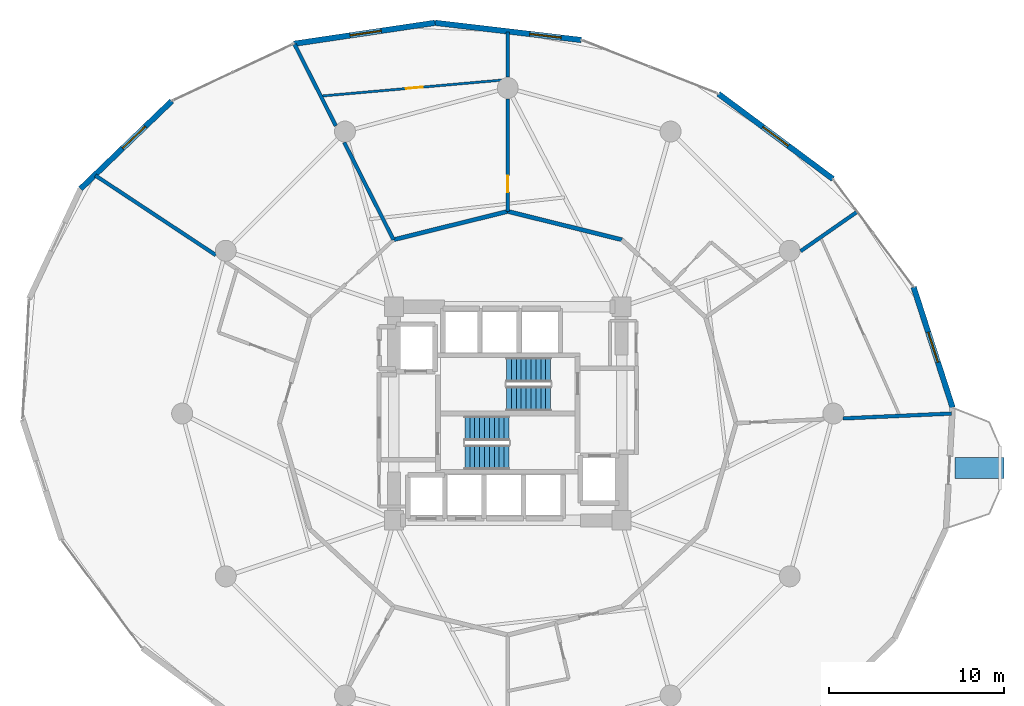
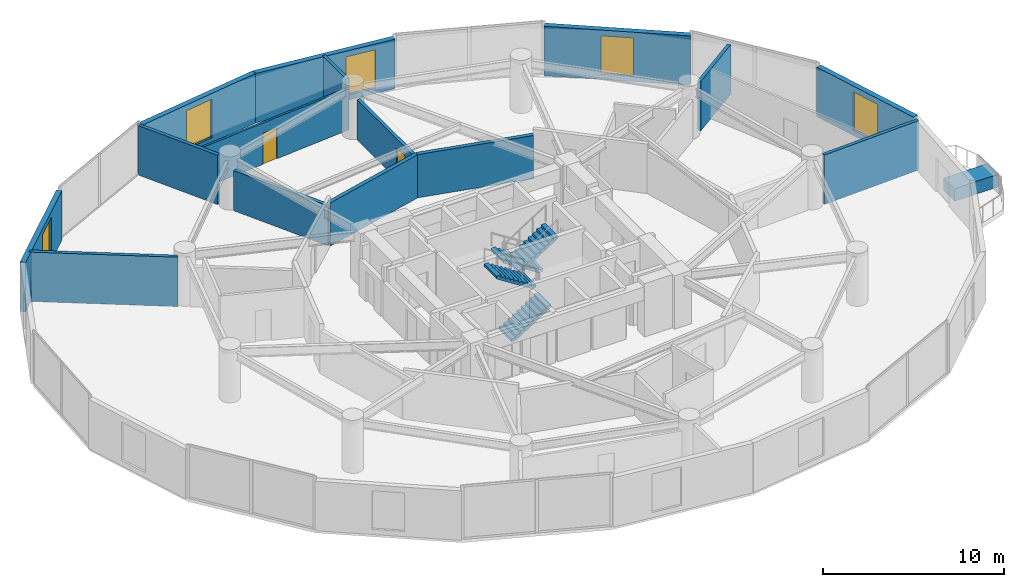
# One storey, part 22 of 25: 15 walls, 5 windows, 4 stair flights, 2 doors, 1 discrete accessory, 7 openings, 2 elements without a shape of their own.
"""IFC4 building model written with IfcOpenShell, lengths in metres."""

from ifc_helpers import new_model, si_unit, direction, frame, frame_2d, origin, origin_2d, place, context, subcontext, project, spatial, polyline, rectangle, outline, extrude, material, layer, layer_set, type_object, element, fill, aggregate, save


model = new_model("IFC4")

# Units and contexts
model_context = context("Model", 3, precision=1e-05, world=origin(), true_north=direction((0.0, 1.0)))
body_context = subcontext(model_context, "Body", "Model", "MODEL_VIEW")
ifc_project = project(units=[si_unit("LENGTHUNIT", "METRE"), si_unit("AREAUNIT", "SQUARE_METRE"), si_unit("VOLUMEUNIT", "CUBIC_METRE"), si_unit("PLANEANGLEUNIT", "RADIAN"), si_unit("MASSUNIT", "GRAM", prefix="KILO")], contexts=[model_context])

# Site, building, storey
site_placement = place(None, origin())
site = spatial("IfcSite", under=ifc_project, at=site_placement, CompositionType="ELEMENT")
building_placement = place(site_placement, origin())
building = spatial("IfcBuilding", under=site, at=building_placement, Name="Solvirekh Grand Hotel", CompositionType="ELEMENT")
storey_placement = place(building_placement, frame((0.0, 0.0, 57.199951171875)))
storey = spatial("IfcBuildingStorey", under=building, at=storey_placement, Name="L13", CompositionType="ELEMENT", Elevation=57.199951171875)

# Wall, opening, window
ifc_material_1 = material(Name="Precast concrete C45/55", Category="concrete")
ifc_layer_1 = layer(ifc_material_1, 0.320068359375)
ifc_layer_set_1 = layer_set([ifc_layer_1], Name="Precast concrete C45/55")
wall_type_1 = type_object("IfcWallType", Name="ExtLobbyWall_RC320", PredefinedType="SOLIDWALL", material=ifc_layer_set_1)
wall_1_placement = place(storey_placement, frame((23.18310546875, 7.22900390625, 0.0), z_axis=(0.0, 0.0, 1.0), x_axis=(0.307973942957, -0.951394792113, 0.0)))
wall_1 = element("IfcWall", 1, at=wall_1_placement, inside=storey, type_object=wall_type_1, Name="L13 exterior structural wall chord 2", PredefinedType="SOLIDWALL", context=body_context, shape_type="SweptSolid", body=[
    extrude(rectangle(XDim=7.233642578125, YDim=0.320068359375, at=frame_2d((3.61669921875, 0.0))), origin(), (0.0, 0.0, 1.0), 3.340087890625),
])
opening_1_placement = place(wall_1_placement, frame((2.717041015625, 0.0, 0.35009765625)))
opening_1 = element("IfcOpeningElement", 2, at=opening_1_placement, cuts=wall_1, Name="Opening W02", PredefinedType="OPENING", context=body_context, shape_type="SweptSolid", body=[
    extrude(rectangle(XDim=1.800048828125, YDim=2.60009765625, at=frame_2d((0.89990234375, 1.300048828125))), frame((0.0, 0.169921875, 0.0), z_axis=(0.0, -1.0, 0.0), x_axis=(1.0, 0.0, 0.0)), (0.0, 0.0, 1.0), 0.340087890625),
])
ifc_material_2 = material(Name="Low-E Tinted Bronze Laminated Glass", Category="aluminium")
window_type = type_object("IfcWindowType", Name="Win_LobbyExt_1800X2600", PartitioningType="SINGLE_PANEL", PredefinedType="WINDOW", material=ifc_material_2)
window_1_placement = place(opening_1_placement, origin())
window_1 = element("IfcWindow", 3, at=window_1_placement, inside=storey, type_object=window_type, Name="L13 panoramic bronze-framed window 2", OverallHeight=2.60009765625, OverallWidth=1.800048828125, PartitioningType="SINGLE_PANEL", PredefinedType="WINDOW", context=body_context, shape_type="SweptSolid", body=[
    extrude(rectangle(XDim=1.800048828125, YDim=2.60009765625, at=frame_2d((0.89990234375, 1.300048828125))), frame((0.0, 0.030029296875, 0.0), z_axis=(0.0, -1.0, 0.0), x_axis=(1.0, 0.0, 0.0)), (0.0, 0.0, 1.0), 0.06005859375),
])
fill(opening_1, window_1)

wall_2_placement = place(storey_placement, frame((12.032958984375, 18.264892578125, 0.0), z_axis=(0.0, 0.0, 1.0), x_axis=(0.802538106816, -0.596600860801, 0.0)))
wall_2 = element("IfcWall", 4, at=wall_2_placement, inside=storey, type_object=wall_type_1, Name="L13 exterior structural wall chord 4", PredefinedType="SOLIDWALL", context=body_context, shape_type="SweptSolid", body=[
    extrude(rectangle(XDim=8.149169921875, YDim=0.320068359375, at=frame_2d((4.07470703125, 0.0))), origin(), (0.0, 0.0, 1.0), 3.340087890625),
])
opening_2_placement = place(wall_2_placement, frame((3.175048828125, 0.0, 0.35009765625)))
opening_2 = element("IfcOpeningElement", 5, at=opening_2_placement, cuts=wall_2, Name="Opening W02", PredefinedType="OPENING", context=body_context, shape_type="SweptSolid", body=[
    extrude(rectangle(XDim=1.800048828125, YDim=2.60009765625, at=frame_2d((0.89990234375, 1.300048828125))), frame((0.0, 0.169921875, 0.0), z_axis=(0.0, -1.0, 0.0), x_axis=(1.0, 0.0, 0.0)), (0.0, 0.0, 1.0), 0.340087890625),
])
window_2_placement = place(opening_2_placement, origin())
window_2 = element("IfcWindow", 6, at=window_2_placement, inside=storey, type_object=window_type, Name="L13 panoramic bronze-framed window 4", OverallHeight=2.60009765625, OverallWidth=1.800048828125, PartitioningType="SINGLE_PANEL", PredefinedType="WINDOW", context=body_context, shape_type="SweptSolid", body=[
    extrude(rectangle(XDim=1.800048828125, YDim=2.60009765625, at=frame_2d((0.89990234375, 1.300048828125))), frame((0.0, 0.030029296875, 0.0), z_axis=(0.0, -1.0, 0.0), x_axis=(1.0, 0.0, 0.0)), (0.0, 0.0, 1.0), 0.06005859375),
])
fill(opening_2, window_2)

wall_3_placement = place(storey_placement, frame((-4.153076171875, 22.323974609375, 0.0), z_axis=(0.0, 0.0, 1.0), x_axis=(0.993124034761, -0.117066867986, 0.0)))
wall_3 = element("IfcWall", 7, at=wall_3_placement, inside=storey, type_object=wall_type_1, Name="L13 exterior structural wall chord 6", PredefinedType="SOLIDWALL", context=body_context, shape_type="SweptSolid", body=[
    extrude(rectangle(XDim=8.412841796875, YDim=0.320068359375, at=frame_2d((4.20654296875, 0.0))), origin(), (0.0, 0.0, 1.0), 3.340087890625),
])
opening_3_placement = place(wall_3_placement, frame((5.449951171875, 0.0, 0.35009765625)))
opening_3 = element("IfcOpeningElement", 8, at=opening_3_placement, cuts=wall_3, Name="Opening W02", PredefinedType="OPENING", context=body_context, shape_type="SweptSolid", body=[
    extrude(rectangle(XDim=1.800048828125, YDim=2.60009765625, at=frame_2d((0.89990234375, 1.300048828125))), frame((0.0, 0.169921875, 0.0), z_axis=(0.0, -1.0, 0.0), x_axis=(1.0, 0.0, 0.0)), (0.0, 0.0, 1.0), 0.340087890625),
])
window_3_placement = place(opening_3_placement, origin())
window_3 = element("IfcWindow", 9, at=window_3_placement, inside=storey, type_object=window_type, Name="L13 panoramic bronze-framed window 6", OverallHeight=2.60009765625, OverallWidth=1.800048828125, PartitioningType="SINGLE_PANEL", PredefinedType="WINDOW", context=body_context, shape_type="SweptSolid", body=[
    extrude(rectangle(XDim=1.800048828125, YDim=2.60009765625, at=frame_2d((0.89990234375, 1.300048828125))), frame((0.0, 0.030029296875, 0.0), z_axis=(0.0, -1.0, 0.0), x_axis=(1.0, 0.0, 0.0)), (0.0, 0.0, 1.0), 0.06005859375),
])
fill(opening_3, window_3)

wall_4_placement = place(storey_placement, frame((-12.212890625, 21.125, 0.0), z_axis=(0.0, 0.0, 1.0), x_axis=(0.989115613059, 0.147140422734, 0.0)))
wall_4 = element("IfcWall", 10, at=wall_4_placement, inside=storey, type_object=wall_type_1, Name="L13 exterior structural wall chord 7", PredefinedType="SOLIDWALL", context=body_context, shape_type="SweptSolid", body=[
    extrude(rectangle(XDim=8.1484375, YDim=0.320068359375, at=frame_2d((4.07421875, 0.0))), origin(), (0.0, 0.0, 1.0), 3.340087890625),
])
opening_4_placement = place(wall_4_placement, frame((3.239013671875, 0.0, 0.35009765625)))
opening_4 = element("IfcOpeningElement", 11, at=opening_4_placement, cuts=wall_4, Name="Opening W02", PredefinedType="OPENING", context=body_context, shape_type="SweptSolid", body=[
    extrude(rectangle(XDim=1.800048828125, YDim=2.60009765625, at=frame_2d((0.89990234375, 1.300048828125))), frame((0.0, 0.169921875, 0.0), z_axis=(0.0, -1.0, 0.0), x_axis=(1.0, 0.0, 0.0)), (0.0, 0.0, 1.0), 0.340087890625),
])
window_4_placement = place(opening_4_placement, origin())
window_4 = element("IfcWindow", 12, at=window_4_placement, inside=storey, type_object=window_type, Name="L13 panoramic bronze-framed window 7", OverallHeight=2.60009765625, OverallWidth=1.800048828125, PartitioningType="SINGLE_PANEL", PredefinedType="WINDOW", context=body_context, shape_type="SweptSolid", body=[
    extrude(rectangle(XDim=1.800048828125, YDim=2.60009765625, at=frame_2d((0.89990234375, 1.300048828125))), frame((0.0, 0.030029296875, 0.0), z_axis=(0.0, -1.0, 0.0), x_axis=(1.0, 0.0, 0.0)), (0.0, 0.0, 1.0), 0.06005859375),
])
fill(opening_4, window_4)

wall_5_placement = place(storey_placement, frame((-24.403076171875, 12.841064453125, 0.0), z_axis=(0.0, 0.0, 1.0), x_axis=(0.720544396029, 0.693408806802, 0.0)))
wall_5 = element("IfcWall", 13, at=wall_5_placement, inside=storey, type_object=wall_type_1, Name="L13 exterior structural wall chord 9", PredefinedType="SOLIDWALL", context=body_context, shape_type="SweptSolid", body=[
    extrude(rectangle(XDim=7.233642578125, YDim=0.320068359375, at=frame_2d((3.61669921875, 0.0))), origin(), (0.0, 0.0, 1.0), 3.340087890625),
])
opening_5_placement = place(wall_5_placement, frame((3.3349609375, 0.0, 0.35009765625)))
opening_5 = element("IfcOpeningElement", 14, at=opening_5_placement, cuts=wall_5, Name="Opening W02", PredefinedType="OPENING", context=body_context, shape_type="SweptSolid", body=[
    extrude(rectangle(XDim=1.800048828125, YDim=2.60009765625, at=frame_2d((0.89990234375, 1.300048828125))), frame((0.0, 0.169921875, 0.0), z_axis=(0.0, -1.0, 0.0), x_axis=(1.0, 0.0, 0.0)), (0.0, 0.0, 1.0), 0.340087890625),
])
window_5_placement = place(opening_5_placement, origin())
window_5 = element("IfcWindow", 15, at=window_5_placement, inside=storey, type_object=window_type, Name="L13 panoramic bronze-framed window 9", OverallHeight=2.60009765625, OverallWidth=1.800048828125, PartitioningType="SINGLE_PANEL", PredefinedType="WINDOW", context=body_context, shape_type="SweptSolid", body=[
    extrude(rectangle(XDim=1.800048828125, YDim=2.60009765625, at=frame_2d((0.89990234375, 1.300048828125))), frame((0.0, 0.030029296875, 0.0), z_axis=(0.0, -1.0, 0.0), x_axis=(1.0, 0.0, 0.0)), (0.0, 0.0, 1.0), 0.06005859375),
])
fill(opening_5, window_5)

# Walls
ifc_material_3 = material(Name="Acoustic Gypsum Partition Assembly")
ifc_layer_2 = layer(ifc_material_3, 0.239990234375)
ifc_layer_set_2 = layer_set([ifc_layer_2], Name="Acoustic Gypsum Partition Assembly")
wall_type_2 = type_object("IfcWallType", Name="Part_Corridor_240", PredefinedType="PARTITIONING", material=ifc_layer_set_2)
for number, where, z_axis, x_axis, name in (
    (16, (6.52490234375, 9.928955078125, 0.0), (0.0, 0.0, 1.0), (-0.970496047219, 0.241117030365, 0.0), "L13 Diplomatic Suite 1503 Living Room corridor wall 1"),
    (17, (0.0, 11.550048828125, 0.0), (0.0, 0.0, 1.0), (-0.970496047219, -0.241117030365, 0.0), "L13 Diplomatic Suite 1503 Suite Foyer corridor enclosure wall"),
):
    element("IfcWall", number, at=place(storey_placement, frame(where, z_axis=z_axis, x_axis=x_axis)), inside=storey, type_object=wall_type_2, Name=name, PredefinedType="PARTITIONING", context=body_context, shape_type="SweptSolid", body=[
        extrude(rectangle(XDim=6.72314453125, YDim=0.239990234375, at=frame_2d((3.361572265625, 0.0))), origin(), (0.0, 0.0, 1.0), 2.9189453125),
    ])

# Wall, opening, door
ifc_layer_3 = layer(ifc_material_3, 0.135009765625)
ifc_layer_set_3 = layer_set([ifc_layer_3], Name="Acoustic Gypsum Partition Assembly")
wall_type_3 = type_object("IfcWallType", Name="Part_RoomInt_135", PredefinedType="PARTITIONING", material=ifc_layer_set_3)
wall_6_placement = place(storey_placement, frame((0.0, 19.0791015625, 0.0), z_axis=(0.0, 0.0, 1.0), x_axis=(-0.996115587984, -0.088055297262, 0.0)))
wall_6 = element("IfcWall", 18, at=wall_6_placement, inside=storey, type_object=wall_type_3, Name="L13 Diplomatic Suite 1503 Suite Foyer bedroom screen wall", PredefinedType="PARTITIONING", context=body_context, shape_type="SweptSolid", body=[
    extrude(rectangle(XDim=10.7216796875, YDim=0.135009765625, at=frame_2d((5.36083984375, 0.0))), origin(), (0.0, 0.0, 1.0), 2.7919921875),
])
opening_6_placement = place(wall_6_placement, frame((4.885986328125, 0.0, 0.0)))
opening_6 = element("IfcOpeningElement", 19, at=opening_6_placement, cuts=wall_6, Name="Opening D10", PredefinedType="OPENING", context=body_context, shape_type="SweptSolid", body=[
    extrude(rectangle(XDim=0.949951171875, YDim=2.10009765625, at=frame_2d((0.47509765625, 1.050048828125))), frame((0.0, 0.07763671875, 0.0), z_axis=(0.0, -1.0, 0.0), x_axis=(1.0, 0.0, 0.0)), (0.0, 0.0, 1.0), 0.155029296875),
])
ifc_material_4 = material(Name="Anodized Bronze Aluminium 6063-T6", Category="aluminium")
door_type = type_object("IfcDoorType", Name="Door_RoomInt_950X2100", OperationType="NOTDEFINED", PredefinedType="DOOR", material=ifc_material_4)
door_1_placement = place(opening_6_placement, origin())
door_1 = element("IfcDoor", 20, at=door_1_placement, inside=storey, type_object=door_type, Name="L13 Diplomatic Suite 1503 Suite Foyer master bedroom door", OperationType="SINGLE_SWING_RIGHT", OverallHeight=2.10009765625, OverallWidth=0.949951171875, PredefinedType="DOOR", context=body_context, shape_type="SweptSolid", body=[
    extrude(rectangle(XDim=0.949951171875, YDim=2.10009765625, at=frame_2d((0.47509765625, 1.050048828125))), frame((0.0, 0.02490234375, 0.0), z_axis=(0.0, -1.0, 0.0), x_axis=(1.0, 0.0, 0.0)), (0.0, 0.0, 1.0), 0.050048828125),
])
fill(opening_6, door_1)

# Walls
ifc_layer_4 = layer(ifc_material_3, 0.2099609375)
ifc_layer_set_4 = layer_set([ifc_layer_4], Name="Acoustic Gypsum Partition Assembly")
wall_type_4 = type_object("IfcWallType", Name="Part_SuiteDemise_210", PredefinedType="PARTITIONING", material=ifc_layer_set_4)
wall_7_placement = place(storey_placement, frame((19.155029296875, -0.277099609375, 0.0), z_axis=(0.0, 0.0, 1.0), x_axis=(0.999001782525, 0.044670331449, 0.0)))
element("IfcWall", 21, at=wall_7_placement, inside=storey, type_object=wall_type_4, Name="L13 suite radial wall 1 (B)", PredefinedType="PARTITIONING", context=body_context, shape_type="SweptSolid", body=[
    extrude(rectangle(XDim=6.203125, YDim=0.2099609375, at=frame_2d((3.1015625, 0.0))), origin(), (0.0, 0.0, 1.0), 3.340087890625),
])
wall_8_placement = place(storey_placement, frame((16.72802734375, 9.27587890625, 0.0), z_axis=(0.0, 0.0, 1.0), x_axis=(0.820690069196, 0.571373617104, 0.0)))
element("IfcWall", 22, at=wall_8_placement, inside=storey, type_object=wall_type_4, Name="L13 suite radial wall 2 (B)", PredefinedType="PARTITIONING", context=body_context, shape_type="SweptSolid", body=[
    extrude(rectangle(XDim=3.91015625, YDim=0.2099609375, at=frame_2d((1.955078125, 0.0))), origin(), (0.0, 0.0, 1.0), 3.340087890625),
])

# Wall, opening, door
wall_9_placement = place(storey_placement, frame((0.0, 11.550048828125, 0.0), z_axis=(0.0, 0.0, 1.0), x_axis=(0.0, 1.0, 0.0)))
wall_9 = element("IfcWall", 23, at=wall_9_placement, inside=storey, type_object=wall_type_4, Name="L13 suite radial wall 4 (A)", PredefinedType="PARTITIONING", context=body_context, shape_type="SweptSolid", body=[
    extrude(rectangle(XDim=6.429931640625, YDim=0.2099609375, at=frame_2d((3.21484375, 0.0))), origin(), (0.0, 0.0, 1.0), 2.70703125),
])
opening_7_placement = place(wall_9_placement, frame((1.095947265625, 0.0, 0.0)))
opening_7 = element("IfcOpeningElement", 24, at=opening_7_placement, cuts=wall_9, Name="Opening D10", PredefinedType="OPENING", context=body_context, shape_type="SweptSolid", body=[
    extrude(rectangle(XDim=0.949951171875, YDim=2.10009765625, at=frame_2d((0.47509765625, 1.050048828125))), frame((0.0, 0.114990234375, 0.0), z_axis=(0.0, -1.0, 0.0), x_axis=(1.0, 0.0, 0.0)), (0.0, 0.0, 1.0), 0.22998046875),
])
door_2_placement = place(opening_7_placement, origin())
door_2 = element("IfcDoor", 25, at=door_2_placement, inside=storey, type_object=door_type, Name="L13 Diplomatic Suite 1503 Suite Foyer suite connecting door", OperationType="SINGLE_SWING_LEFT", OverallHeight=2.10009765625, OverallWidth=0.949951171875, PredefinedType="DOOR", context=body_context, shape_type="SweptSolid", body=[
    extrude(rectangle(XDim=0.949951171875, YDim=2.10009765625, at=frame_2d((0.47509765625, 1.050048828125))), frame((0.0, 0.02490234375, 0.0), z_axis=(0.0, -1.0, 0.0), x_axis=(1.0, 0.0, 0.0)), (0.0, 0.0, 1.0), 0.050048828125),
])
fill(opening_7, door_2)

# Walls
wall_10_placement = place(storey_placement, frame((0.0, 19.219970703125, 0.0), z_axis=(0.0, 0.0, 1.0), x_axis=(0.0, 1.0, 0.0)))
element("IfcWall", 26, at=wall_10_placement, inside=storey, type_object=wall_type_4, Name="L13 suite radial wall 4 (B)", PredefinedType="PARTITIONING", context=body_context, shape_type="SweptSolid", body=[
    extrude(rectangle(XDim=2.573974609375, YDim=0.2099609375, at=frame_2d((1.287109375, 0.0))), origin(), (0.0, 0.0, 1.0), 3.340087890625),
])
wall_11_placement = place(storey_placement, frame((-6.52490234375, 9.928955078125, 0.0), z_axis=(0.0, 0.0, 1.0), x_axis=(-0.451845511916, 0.892096201853, 0.0)))
element("IfcWall", 27, at=wall_11_placement, inside=storey, type_object=wall_type_4, Name="L13 suite radial wall 5 (A)", PredefinedType="PARTITIONING", context=body_context, shape_type="SweptSolid", body=[
    extrude(rectangle(XDim=6.232666015625, YDim=0.2099609375, at=frame_2d((3.1162109375, 0.0))), origin(), (0.0, 0.0, 1.0), 2.70703125),
])
wall_12_placement = place(storey_placement, frame((-9.822998046875, 16.44091796875, 0.0), z_axis=(0.0, 0.0, 1.0), x_axis=(-0.451646831952, 0.892196805188, 0.0)))
element("IfcWall", 28, at=wall_12_placement, inside=storey, type_object=wall_type_4, Name="L13 suite radial wall 5 (B)", PredefinedType="PARTITIONING", context=body_context, shape_type="SweptSolid", body=[
    extrude(rectangle(XDim=5.214111328125, YDim=0.2099609375, at=frame_2d((2.60693359375, 0.0))), origin(), (0.0, 0.0, 1.0), 3.340087890625),
])
wall_13_placement = place(storey_placement, frame((-16.676025390625, 9.052001953125, 0.0), z_axis=(0.0, 0.0, 1.0), x_axis=(-0.834224712382, 0.551424636057, 0.0)))
element("IfcWall", 29, at=wall_13_placement, inside=storey, type_object=wall_type_4, Name="L13 suite radial wall 6 (B)", PredefinedType="PARTITIONING", context=body_context, shape_type="SweptSolid", body=[
    extrude(rectangle(XDim=8.249755859375, YDim=0.2099609375, at=frame_2d((4.125, 0.0))), origin(), (0.0, 0.0, 1.0), 3.340087890625),
])

# Stair, stair flights
ifc_material_5 = material(Name="Concrete C40/50", Category="concrete")
stair_type = type_object("IfcStairType", Name="Stair_Core_1450", PredefinedType="HALF_TURN_STAIR", material=ifc_material_5)
stair_1_placement = place(storey_placement, origin())
stair_1 = element("IfcStair", 30, at=stair_1_placement, inside=storey, type_object=stair_type, Name="L13 Enclosed exit stair ST-1", PredefinedType="HALF_TURN_STAIR")
stair_flight_type = type_object("IfcStairFlightType", Name="Flight_Core_1450", PredefinedType="STRAIGHT", material=ifc_material_5)
stair_flight_1_placement = place(storey_placement, frame((-2.449951171875, -2.5, 0.0), z_axis=(0.0, 0.0, 1.0), x_axis=(1.0, 0.0, 0.0)))
stair_flight_1 = element("IfcStairFlight", 31, at=stair_flight_1_placement, type_object=stair_flight_type, Name="ST-1 flight 1", NumberOfRisers=10, NumberOfTreads=9, PredefinedType="STRAIGHT", RiserHeight=0.18, TreadLength=0.28, context=body_context, shape_type="SweptSolid", body=[
    extrude(outline(polyline([(0.0, 0.0), (0.0, 0.179931640625), (0.280029296875, 0.179931640625), (0.280029296875, 0.360107421875), (0.56005859375, 0.360107421875), (0.56005859375, 0.5400390625), (0.840087890625, 0.5400390625), (0.840087890625, 0.719970703125), (1.1201171875, 0.719970703125), (1.1201171875, 0.89990234375), (1.39990234375, 0.89990234375), (1.39990234375, 1.080078125), (1.679931640625, 1.080078125), (1.679931640625, 1.260009765625), (1.9599609375, 1.260009765625), (1.9599609375, 1.43994140625), (2.239990234375, 1.43994140625), (2.239990234375, 1.6201171875), (2.52001953125, 1.6201171875), (2.52001953125, 1.800048828125), (2.52001953125, 1.44189453125), (0.277099609375, 0.0), (0.0, 0.0)])), frame((0.0, 0.699951171875, 0.0), z_axis=(0.0, -1.0, 0.0), x_axis=(1.0, 0.0, 0.0)), (0.0, 0.0, 1.0), 1.39990234375),
])
stair_flight_2_placement = place(storey_placement, frame((0.070068359375, -0.85009765625, 1.800048828125), z_axis=(0.0, 0.0, 1.0), x_axis=(-1.0, 0.0, 0.0)))
stair_flight_2 = element("IfcStairFlight", 32, at=stair_flight_2_placement, type_object=stair_flight_type, Name="ST-1 flight 2", NumberOfRisers=10, NumberOfTreads=9, PredefinedType="STRAIGHT", RiserHeight=0.18, TreadLength=0.28, context=body_context, shape_type="SweptSolid", body=[
    extrude(outline(polyline([(0.0, 0.0), (0.0, 0.179931640625), (0.280029296875, 0.179931640625), (0.280029296875, 0.360107421875), (0.56005859375, 0.360107421875), (0.56005859375, 0.5400390625), (0.840087890625, 0.5400390625), (0.840087890625, 0.719970703125), (1.1201171875, 0.719970703125), (1.1201171875, 0.89990234375), (1.39990234375, 0.89990234375), (1.39990234375, 1.080078125), (1.679931640625, 1.080078125), (1.679931640625, 1.260009765625), (1.9599609375, 1.260009765625), (1.9599609375, 1.43994140625), (2.239990234375, 1.43994140625), (2.239990234375, 1.6201171875), (2.52001953125, 1.6201171875), (2.52001953125, 1.800048828125), (2.52001953125, 1.44189453125), (0.277099609375, 0.0), (0.0, 0.0)])), frame((0.0, 0.699951171875, 0.0), z_axis=(0.0, -1.0, 0.0), x_axis=(1.0, 0.0, 0.0)), (0.0, 0.0, 1.0), 1.39990234375),
])
aggregate(stair_1, [stair_flight_1, stair_flight_2])

stair_2_placement = place(storey_placement, origin())
stair_2 = element("IfcStair", 33, at=stair_2_placement, inside=storey, type_object=stair_type, Name="L13 Enclosed exit stair ST-2", PredefinedType="HALF_TURN_STAIR")
stair_flight_3_placement = place(storey_placement, frame((2.449951171875, 2.5, 0.0), z_axis=(0.0, 0.0, 1.0), x_axis=(-1.0, 0.0, 0.0)))
stair_flight_3 = element("IfcStairFlight", 34, at=stair_flight_3_placement, type_object=stair_flight_type, Name="ST-2 flight 1", NumberOfRisers=10, NumberOfTreads=9, PredefinedType="STRAIGHT", RiserHeight=0.18, TreadLength=0.28, context=body_context, shape_type="SweptSolid", body=[
    extrude(outline(polyline([(0.0, 0.0), (0.0, 0.179931640625), (0.280029296875, 0.179931640625), (0.280029296875, 0.360107421875), (0.56005859375, 0.360107421875), (0.56005859375, 0.5400390625), (0.840087890625, 0.5400390625), (0.840087890625, 0.719970703125), (1.1201171875, 0.719970703125), (1.1201171875, 0.89990234375), (1.39990234375, 0.89990234375), (1.39990234375, 1.080078125), (1.679931640625, 1.080078125), (1.679931640625, 1.260009765625), (1.9599609375, 1.260009765625), (1.9599609375, 1.43994140625), (2.239990234375, 1.43994140625), (2.239990234375, 1.6201171875), (2.52001953125, 1.6201171875), (2.52001953125, 1.800048828125), (2.52001953125, 1.44189453125), (0.277099609375, 0.0), (0.0, 0.0)])), frame((0.0, 0.699951171875, 0.0), z_axis=(0.0, -1.0, 0.0), x_axis=(1.0, 0.0, 0.0)), (0.0, 0.0, 1.0), 1.39990234375),
])
stair_flight_4_placement = place(storey_placement, frame((-0.070068359375, 0.85009765625, 1.800048828125), z_axis=(0.0, 0.0, 1.0), x_axis=(1.0, 0.0, 0.0)))
stair_flight_4 = element("IfcStairFlight", 35, at=stair_flight_4_placement, type_object=stair_flight_type, Name="ST-2 flight 2", NumberOfRisers=10, NumberOfTreads=9, PredefinedType="STRAIGHT", RiserHeight=0.18, TreadLength=0.28, context=body_context, shape_type="SweptSolid", body=[
    extrude(outline(polyline([(0.0, 0.0), (0.0, 0.179931640625), (0.280029296875, 0.179931640625), (0.280029296875, 0.360107421875), (0.56005859375, 0.360107421875), (0.56005859375, 0.5400390625), (0.840087890625, 0.5400390625), (0.840087890625, 0.719970703125), (1.1201171875, 0.719970703125), (1.1201171875, 0.89990234375), (1.39990234375, 0.89990234375), (1.39990234375, 1.080078125), (1.679931640625, 1.080078125), (1.679931640625, 1.260009765625), (1.9599609375, 1.260009765625), (1.9599609375, 1.43994140625), (2.239990234375, 1.43994140625), (2.239990234375, 1.6201171875), (2.52001953125, 1.6201171875), (2.52001953125, 1.800048828125), (2.52001953125, 1.44189453125), (0.277099609375, 0.0), (0.0, 0.0)])), frame((0.0, 0.699951171875, 0.0), z_axis=(0.0, -1.0, 0.0), x_axis=(1.0, 0.0, 0.0)), (0.0, 0.0, 1.0), 1.39990234375),
])
aggregate(stair_2, [stair_flight_3, stair_flight_4])

# Discrete accessory
discrete_accessory_type = type_object("IfcDiscreteAccessoryType", Name="Acc_PlanterBox", PredefinedType="USERDEFINED", material=ifc_material_1)
discrete_accessory_placement = place(storey_placement, frame((26.948974609375, -3.111083984375, 0.0), z_axis=(0.0, 0.0, 1.0), x_axis=(0.0, 1.0, 0.0)))
element("IfcDiscreteAccessory", 36, at=discrete_accessory_placement, inside=storey, type_object=discrete_accessory_type, Name="L13 horn sky-garden tree planter", ObjectType="PLANTER", PredefinedType="USERDEFINED", context=body_context, shape_type="SweptSolid", body=[
    extrude(rectangle(XDim=1.199951171875, YDim=2.800048828125, at=origin_2d()), origin(), (0.0, 0.0, 1.0), 0.85009765625),
])

save(model, "model.ifc")
